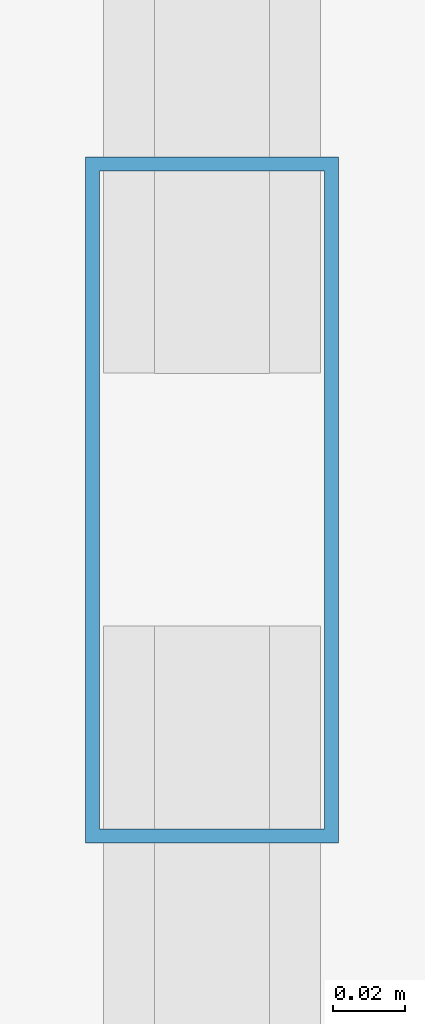
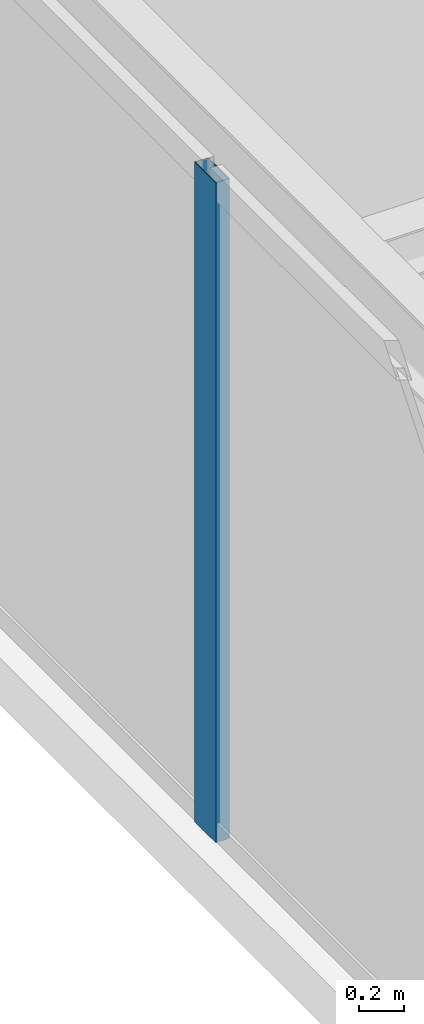
# One storey, part 10 of 34: 1 member, 1 element without a shape of its own.
"""IFC4 building model written with IfcOpenShell, lengths in metres."""

from ifc_helpers import new_model, si_unit, direction, frame, origin, origin_2d, place, context, subcontext, project, spatial, hollow_rectangle, extrude, source, transform, mapped, material, layer, layer_set, material_profile, profile_set, type_object, type_shapes, element, aggregate, save


model = new_model("IFC4")

# Units and contexts
model_context = context("Model", 3, precision=1e-05, world=origin(), true_north=direction((0.0, 1.0)))
body_context = subcontext(model_context, "Body", "Model", "MODEL_VIEW")
ifc_project = project(units=[si_unit("LENGTHUNIT", "METRE"), si_unit("AREAUNIT", "SQUARE_METRE"), si_unit("VOLUMEUNIT", "CUBIC_METRE"), si_unit("PLANEANGLEUNIT", "RADIAN"), si_unit("MASSUNIT", "GRAM", prefix="KILO")], contexts=[model_context])

# Site, building, storey
site_placement = place(None, origin())
site = spatial("IfcSite", under=ifc_project, at=site_placement, CompositionType="ELEMENT")
building_placement = place(site_placement, origin())
building = spatial("IfcBuilding", under=site, at=building_placement, Name="Varnel Quay Broadcast Tower", CompositionType="ELEMENT")
storey_placement = place(building_placement, frame((0.0, 0.0, 110.60009765625)))
storey = spatial("IfcBuildingStorey", under=building, at=storey_placement, Name="L26", CompositionType="ELEMENT", Elevation=110.60009765625)

# Curtain wall, member
ifc_material = material(Name="Anodised Bronze Aluminium 6063-T6", Category="aluminium")
ifc_layer = layer(ifc_material, 0.18994140625, Name="Anodised Bronze Aluminium 6063-T6")
ifc_layer_set = layer_set([ifc_layer], Name="Anodised Bronze Aluminium 6063-T6")
curtain_wall_type = type_object("IfcCurtainWallType", Name="CW_LowerTower", PredefinedType="NOTDEFINED", material=ifc_layer_set)
curtain_wall_placement = place(storey_placement, origin())
curtain_wall = element("IfcCurtainWall", 1, at=curtain_wall_placement, inside=storey, type_object=curtain_wall_type, Name="L26 West Unitised Curtain Wall", PredefinedType="NOTDEFINED")
ifc_material_profile = material_profile(ifc_material, hollow_rectangle(XDim=0.070068359375, YDim=0.18994140625, WallThickness=0.00390625, at=origin_2d()), Name="ALU70X190X4")
ifc_profile_set = profile_set([ifc_material_profile], Name="Anodised Bronze Aluminium 6063-T6")
member_type = type_object("IfcMemberType", Name="Mull_CWS-02", PredefinedType="MULLION", material=ifc_profile_set)
shared_shape = source(origin(), body_context, "Body", "SweptSolid", [
    extrude(hollow_rectangle(XDim=0.070068359375, YDim=0.18994140625, WallThickness=0.00390625, at=origin_2d()), origin(), (0.0, 0.0, 1.0), 3.5498046875),
])
type_shapes(member_type, [shared_shape])
member_placement = place(storey_placement, frame((4.64990234375, 31.39990234375, 0.0), z_axis=(0.0, 0.0, 1.0), x_axis=(-1.0, 0.0, 0.0)))
member = element("IfcMember", 2, at=member_placement, type_object=member_type, Name="CWS-02 mullion 3", PredefinedType="MULLION", context=body_context, shape_type="MappedRepresentation", body=[
    mapped(shared_shape, transform((0.0, 0.0, 0.0), x_axis=(1.0, 0.0, 0.0), y_axis=(0.0, 1.0, 0.0), z_axis=(0.0, 0.0, 1.0), scale=1.0)),
])
aggregate(curtain_wall, [member])

save(model, "model.ifc")
